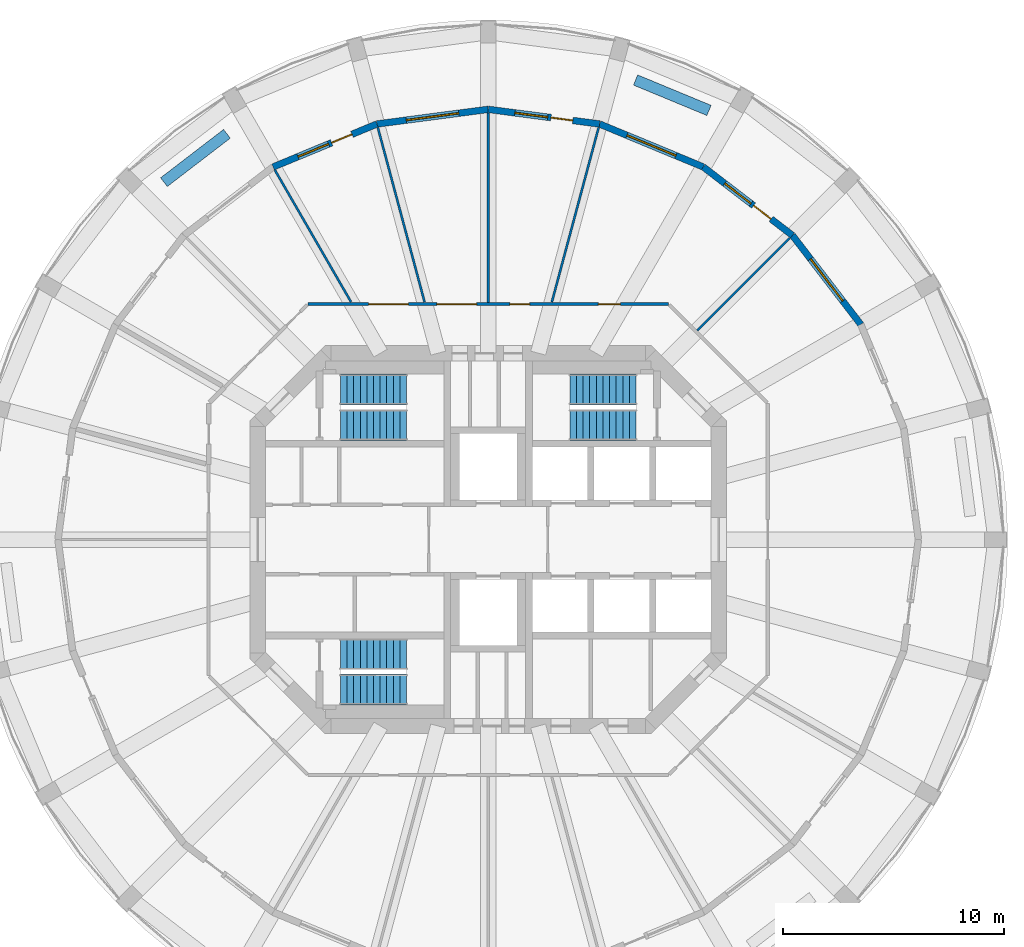
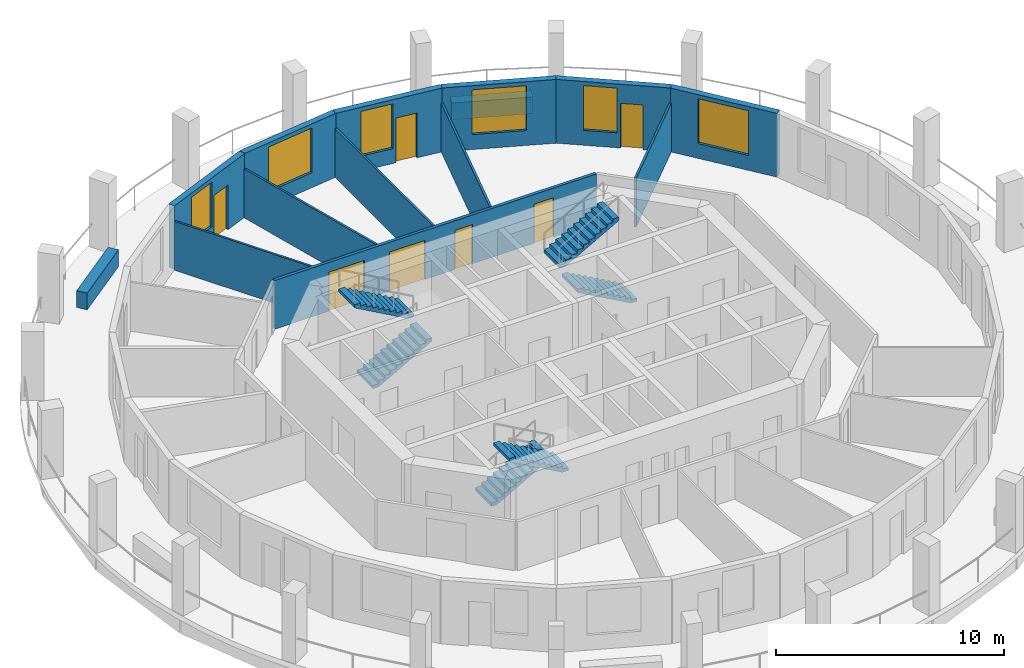
# One storey, part 6 of 8: 14 walls, 7 doors, 6 stair flights, 6 windows, 13 openings, 3 elements without a shape of their own.
"""IFC4 building model written with IfcOpenShell, lengths in metres."""

from ifc_helpers import new_model, si_unit, direction, frame, frame_2d, origin, place, context, subcontext, project, spatial, polyline, rectangle, outline, extrude, material, layer, layer_set, type_object, element, fill, aggregate, save


model = new_model("IFC4")

# Units and contexts
model_context = context("Model", 3, precision=1e-05, world=origin(), true_north=direction((0.0, 1.0)))
body_context = subcontext(model_context, "Body", "Model", "MODEL_VIEW")
ifc_project = project(units=[si_unit("LENGTHUNIT", "METRE"), si_unit("AREAUNIT", "SQUARE_METRE"), si_unit("VOLUMEUNIT", "CUBIC_METRE"), si_unit("PLANEANGLEUNIT", "RADIAN"), si_unit("MASSUNIT", "GRAM", prefix="KILO")], contexts=[model_context])

# Site, building, storey
site_placement = place(None, origin())
site = spatial("IfcSite", under=ifc_project, at=site_placement, CompositionType="ELEMENT")
building_placement = place(site_placement, origin())
building = spatial("IfcBuilding", under=site, at=building_placement, Name="Torre Triforio", CompositionType="ELEMENT")
storey_placement = place(building_placement, frame((0.0, 0.0, 207.60009765625)))
storey = spatial("IfcBuildingStorey", under=building, at=storey_placement, Name="L47", CompositionType="ELEMENT", Elevation=207.60009765625)

# Wall, openings, doors
ifc_material_1 = material(Name="Plasterboard on metal studs")
ifc_layer_1 = layer(ifc_material_1, 0.14990234375)
ifc_layer_set_1 = layer_set([ifc_layer_1], Name="Plasterboard on metal studs")
wall_type_1 = type_object("IfcWallType", Name="Corridor and tenancy wall 150 mm EI 60", PredefinedType="PARTITIONING", material=ifc_layer_set_1)
wall_1_placement = place(storey_placement, frame((-8.16650390625, 10.675048828125, 0.0), z_axis=(0.0, 0.0, 1.0), x_axis=(1.0, 0.0, 0.0)))
wall_1 = element("IfcWall", 1, at=wall_1_placement, inside=storey, type_object=wall_type_1, Name="Partition 8", PredefinedType="PARTITIONING", context=body_context, shape_type="SweptSolid", body=[
    extrude(rectangle(XDim=16.3330078125, YDim=0.14990234375, at=frame_2d((8.16650390625, 0.0))), origin(), (0.0, 0.0, 1.0), 2.619873046875),
])
opening_1_placement = place(wall_1_placement, frame((13.155029296875, 0.0, 0.0)))
opening_1 = element("IfcOpeningElement", 2, at=opening_1_placement, cuts=wall_1, Name="Opening O5-09", PredefinedType="OPENING", context=body_context, shape_type="SweptSolid", body=[
    extrude(rectangle(XDim=1.0, YDim=2.10009765625, at=frame_2d((0.5, 1.050048828125))), frame((0.0, 0.0849609375, 0.0), z_axis=(0.0, -1.0, 0.0), x_axis=(1.0, 0.0, 0.0)), (0.0, 0.0, 1.0), 0.169921875),
])
opening_2_placement = place(wall_1_placement, frame((9.147705078125, 0.0, 0.0)))
opening_2 = element("IfcOpeningElement", 3, at=opening_2_placement, cuts=wall_1, Name="Opening O5-10", PredefinedType="OPENING", context=body_context, shape_type="SweptSolid", body=[
    extrude(rectangle(XDim=0.89990234375, YDim=2.10009765625, at=frame_2d((0.449951171875, 1.050048828125))), frame((0.0, 0.0849609375, 0.0), z_axis=(0.0, -1.0, 0.0), x_axis=(1.0, 0.0, 0.0)), (0.0, 0.0, 1.0), 0.169921875),
])
opening_3_placement = place(wall_1_placement, frame((5.83544921875, 0.0, 0.0)))
opening_3 = element("IfcOpeningElement", 4, at=opening_3_placement, cuts=wall_1, Name="Opening O5-11", PredefinedType="OPENING", context=body_context, shape_type="SweptSolid", body=[
    extrude(rectangle(XDim=1.800048828125, YDim=2.10009765625, at=frame_2d((0.89990234375, 1.050048828125))), frame((0.0, 0.0849609375, 0.0), z_axis=(0.0, -1.0, 0.0), x_axis=(1.0, 0.0, 0.0)), (0.0, 0.0, 1.0), 0.169921875),
])
opening_4_placement = place(wall_1_placement, frame((2.7509765625, 0.0, 0.0)))
opening_4 = element("IfcOpeningElement", 5, at=opening_4_placement, cuts=wall_1, Name="Opening O5-12", PredefinedType="OPENING", context=body_context, shape_type="SweptSolid", body=[
    extrude(rectangle(XDim=1.800048828125, YDim=2.10009765625, at=frame_2d((0.89990234375, 1.050048828125))), frame((0.0, 0.0849609375, 0.0), z_axis=(0.0, -1.0, 0.0), x_axis=(1.0, 0.0, 0.0)), (0.0, 0.0, 1.0), 0.169921875),
])
ifc_material_2 = material(Name="Timber", Category="wood")
door_type_1 = type_object("IfcDoorType", Name="Door 1000 x 2100 single leaf EI 30", OperationType="NOTDEFINED", PredefinedType="DOOR", material=ifc_material_2)
door_1_placement = place(opening_1_placement, origin())
door_1 = element("IfcDoor", 6, at=door_1_placement, inside=storey, type_object=door_type_1, Name="Door O5-09", OperationType="SINGLE_SWING_RIGHT", OverallHeight=2.10009765625, OverallWidth=1.0, PredefinedType="DOOR", context=body_context, shape_type="SweptSolid", body=[
    extrude(rectangle(XDim=1.0, YDim=2.10009765625, at=frame_2d((0.5, 1.050048828125))), frame((0.0, 0.02490234375, 0.0), z_axis=(0.0, -1.0, 0.0), x_axis=(1.0, 0.0, 0.0)), (0.0, 0.0, 1.0), 0.050048828125),
])
fill(opening_1, door_1)
door_type_2 = type_object("IfcDoorType", Name="Door 1800 x 2100 double leaf EI 30", OperationType="DOUBLE_DOOR_SINGLE_SWING", PredefinedType="DOOR", material=ifc_material_2)
door_2_placement = place(opening_3_placement, origin())
door_2 = element("IfcDoor", 7, at=door_2_placement, inside=storey, type_object=door_type_2, Name="Door O5-11", OperationType="DOUBLE_DOOR_SINGLE_SWING", OverallHeight=2.10009765625, OverallWidth=1.800048828125, PredefinedType="DOOR", context=body_context, shape_type="SweptSolid", body=[
    extrude(rectangle(XDim=1.800048828125, YDim=2.10009765625, at=frame_2d((0.89990234375, 1.050048828125))), frame((0.0, 0.02490234375, 0.0), z_axis=(0.0, -1.0, 0.0), x_axis=(1.0, 0.0, 0.0)), (0.0, 0.0, 1.0), 0.050048828125),
])
fill(opening_3, door_2)
door_3_placement = place(opening_4_placement, origin())
door_3 = element("IfcDoor", 8, at=door_3_placement, inside=storey, type_object=door_type_2, Name="Door O5-12", OperationType="DOUBLE_DOOR_SINGLE_SWING", OverallHeight=2.10009765625, OverallWidth=1.800048828125, PredefinedType="DOOR", context=body_context, shape_type="SweptSolid", body=[
    extrude(rectangle(XDim=1.800048828125, YDim=2.10009765625, at=frame_2d((0.89990234375, 1.050048828125))), frame((0.0, 0.02490234375, 0.0), z_axis=(0.0, -1.0, 0.0), x_axis=(1.0, 0.0, 0.0)), (0.0, 0.0, 1.0), 0.050048828125),
])
fill(opening_4, door_3)
door_type_3 = type_object("IfcDoorType", Name="Door 900 x 2100 single leaf EI 30", OperationType="NOTDEFINED", PredefinedType="DOOR", material=ifc_material_2)
door_4_placement = place(opening_2_placement, origin())
door_4 = element("IfcDoor", 9, at=door_4_placement, inside=storey, type_object=door_type_3, Name="Door O5-10", OperationType="SINGLE_SWING_LEFT", OverallHeight=2.10009765625, OverallWidth=0.89990234375, PredefinedType="DOOR", context=body_context, shape_type="SweptSolid", body=[
    extrude(rectangle(XDim=0.89990234375, YDim=2.10009765625, at=frame_2d((0.449951171875, 1.050048828125))), frame((0.0, 0.02490234375, 0.0), z_axis=(0.0, -1.0, 0.0), x_axis=(1.0, 0.0, 0.0)), (0.0, 0.0, 1.0), 0.050048828125),
])
fill(opening_2, door_4)

# Walls
ifc_layer_2 = layer(ifc_material_1, 0.10009765625)
ifc_layer_set_2 = layer_set([ifc_layer_2], Name="Plasterboard on metal studs")
wall_type_2 = type_object("IfcWallType", Name="Partition 100 mm board on metal studs", PredefinedType="PARTITIONING", material=ifc_layer_set_2)
wall_2_placement = place(storey_placement, frame((9.473876953125, 9.473876953125, 0.0), z_axis=(0.0, 0.0, 1.0), x_axis=(0.707106781187, 0.707106781187, 0.0)))
element("IfcWall", 10, at=wall_2_placement, inside=storey, type_object=wall_type_2, Name="Partition 11", PredefinedType="PARTITIONING", context=body_context, shape_type="SweptSolid", body=[
    extrude(rectangle(XDim=5.9384765625, YDim=0.10009765625, at=frame_2d((2.96923828125, 0.0))), origin(), (0.0, 0.0, 1.0), 2.619873046875),
])
wall_3_placement = place(storey_placement, frame((2.88427734375, 10.764404296875, 0.0), z_axis=(0.0, 0.0, 1.0), x_axis=(0.258818011497, 0.965926103242, 0.0)))
element("IfcWall", 11, at=wall_3_placement, inside=storey, type_object=wall_type_2, Name="Partition 12", PredefinedType="PARTITIONING", context=body_context, shape_type="SweptSolid", body=[
    extrude(rectangle(XDim=8.1923828125, YDim=0.10009765625, at=frame_2d((4.09619140625, 0.0))), origin(), (0.0, 0.0, 1.0), 2.619873046875),
])
wall_4_placement = place(storey_placement, frame((0.0, 10.75, 0.0), z_axis=(0.0, 0.0, 1.0), x_axis=(0.0, 1.0, 0.0)))
element("IfcWall", 12, at=wall_4_placement, inside=storey, type_object=wall_type_2, Name="Partition 13", PredefinedType="PARTITIONING", context=body_context, shape_type="SweptSolid", body=[
    extrude(rectangle(XDim=8.586669921875, YDim=0.10009765625, at=frame_2d((4.29345703125, 0.0))), origin(), (0.0, 0.0, 1.0), 2.619873046875),
])
wall_5_placement = place(storey_placement, frame((-2.88427734375, 10.764404296875, 0.0), z_axis=(0.0, 0.0, 1.0), x_axis=(-0.258818011497, 0.965926103242, 0.0)))
element("IfcWall", 13, at=wall_5_placement, inside=storey, type_object=wall_type_2, Name="Partition 14", PredefinedType="PARTITIONING", context=body_context, shape_type="SweptSolid", body=[
    extrude(rectangle(XDim=8.1923828125, YDim=0.10009765625, at=frame_2d((4.09619140625, 0.0))), origin(), (0.0, 0.0, 1.0), 2.619873046875),
])
wall_6_placement = place(storey_placement, frame((-6.220703125, 10.774658203125, 0.0), z_axis=(0.0, 0.0, 1.0), x_axis=(-0.500015661236, 0.866016361577, 0.0)))
element("IfcWall", 14, at=wall_6_placement, inside=storey, type_object=wall_type_2, Name="Partition 15", PredefinedType="PARTITIONING", context=body_context, shape_type="SweptSolid", body=[
    extrude(rectangle(XDim=6.895263671875, YDim=0.10009765625, at=frame_2d((3.44775390625, 0.0))), origin(), (0.0, 0.0, 1.0), 2.619873046875),
])
ifc_material_3 = material(Name="Limestone cladding", Category="masonry")
ifc_layer_3 = layer(ifc_material_3, 0.10009765625)
ifc_material_4 = material(Name="Concrete C40", Category="concrete")
ifc_layer_4 = layer(ifc_material_4, 0.39990234375)
ifc_layer_set_3 = layer_set([ifc_layer_3, ifc_layer_4], Name="Limestone cladding / Concrete C40")
wall_type_3 = type_object("IfcWallType", Name="Planter wall 500", PredefinedType="PARAPET", material=ifc_layer_set_3)
wall_7_placement = place(storey_placement, frame((10.005615234375, 19.45166015625, 0.0), z_axis=(0.0, 0.0, 1.0), x_axis=(-0.923885420167, 0.382669217998, 0.0)))
element("IfcWall", 15, at=wall_7_placement, inside=storey, type_object=wall_type_3, Name="Planter L47 bay 05", PredefinedType="PARAPET", context=body_context, shape_type="SweptSolid", body=[
    extrude(rectangle(XDim=3.60009765625, YDim=0.5, at=frame_2d((1.800048828125, 0.0))), origin(), (0.0, 0.0, 1.0), 0.89990234375),
])
wall_8_placement = place(storey_placement, frame((-11.843017578125, 18.390869140625, 0.0), z_axis=(0.0, 0.0, 1.0), x_axis=(-0.793326845617, -0.608795955984, 0.0)))
element("IfcWall", 16, at=wall_8_placement, inside=storey, type_object=wall_type_3, Name="Planter L47 bay 09", PredefinedType="PARAPET", context=body_context, shape_type="SweptSolid", body=[
    extrude(rectangle(XDim=3.599853515625, YDim=0.5, at=frame_2d((1.7998046875, 0.0))), origin(), (0.0, 0.0, 1.0), 0.89990234375),
])

# Wall, opening, window
ifc_layer_5 = layer(ifc_material_3, 0.10009765625)
ifc_layer_6 = layer(ifc_material_4, 0.199951171875)
ifc_layer_set_4 = layer_set([ifc_layer_5, ifc_layer_6], Name="Limestone cladding / Concrete C40")
wall_type_4 = type_object("IfcWallType", Name="Stone-faced composite wall 300", PredefinedType="STANDARD", material=ifc_layer_set_4)
wall_9_placement = place(storey_placement, frame((16.887451171875, 9.75, 0.0), z_axis=(0.0, 0.0, 1.0), x_axis=(-0.608757714995, 0.79335619014, 0.0)))
wall_9 = element("IfcWall", 17, at=wall_9_placement, inside=storey, type_object=wall_type_4, Name="External wall L47 bay 03", PredefinedType="STANDARD", context=body_context, shape_type="SweptSolid", body=[
    extrude(rectangle(XDim=5.090576171875, YDim=0.300048828125, at=frame_2d((2.54541015625, 0.0))), origin(), (0.0, 0.0, 1.0), 3.419921875),
])
opening_5_placement = place(wall_9_placement, frame((1.34521484375, 0.0, 0.800048828125)))
opening_5 = element("IfcOpeningElement", 18, at=opening_5_placement, cuts=wall_9, Name="Opening O5-W03", PredefinedType="OPENING", context=body_context, shape_type="SweptSolid", body=[
    extrude(rectangle(XDim=2.39990234375, YDim=2.39990234375, at=frame_2d((1.199951171875, 1.199951171875))), frame((0.0, 0.159912109375, 0.0), z_axis=(0.0, -1.0, 0.0), x_axis=(1.0, 0.0, 0.0)), (0.0, 0.0, 1.0), 0.320068359375),
])
ifc_material_5 = material(Name="Aluminium frame with clear double glazing", Category="aluminium")
window_type_1 = type_object("IfcWindowType", Name="Punched window 2400 x 2400", PartitioningType="DOUBLE_PANEL_VERTICAL", PredefinedType="WINDOW", material=ifc_material_5)
window_1_placement = place(opening_5_placement, origin())
window_1 = element("IfcWindow", 19, at=window_1_placement, inside=storey, type_object=window_type_1, Name="Window EWN4 L47 bay 03", OverallHeight=2.39990234375, OverallWidth=2.39990234375, PartitioningType="SINGLE_PANEL", PredefinedType="WINDOW", context=body_context, shape_type="SweptSolid", body=[
    extrude(rectangle(XDim=2.39990234375, YDim=2.39990234375, at=frame_2d((1.199951171875, 1.199951171875))), frame((0.0, 0.030029296875, 0.0), z_axis=(0.0, -1.0, 0.0), x_axis=(1.0, 0.0, 0.0)), (0.0, 0.0, 1.0), 0.06005859375),
])
fill(opening_5, window_1)

# Wall, openings, door, window
wall_10_placement = place(storey_placement, frame((13.78857421875, 13.78857421875, 0.0), z_axis=(0.0, 0.0, 1.0), x_axis=(-0.79335619014, 0.608757714995, 0.0)))
wall_10 = element("IfcWall", 20, at=wall_10_placement, inside=storey, type_object=wall_type_4, Name="External wall L47 bay 04", PredefinedType="STANDARD", context=body_context, shape_type="SweptSolid", body=[
    extrude(rectangle(XDim=5.090576171875, YDim=0.300048828125, at=frame_2d((2.54541015625, 0.0))), origin(), (0.0, 0.0, 1.0), 3.419921875),
])
opening_6_placement = place(wall_10_placement, frame((1.22021484375, 0.0, 0.0)))
opening_6 = element("IfcOpeningElement", 21, at=opening_6_placement, cuts=wall_10, Name="Opening O5-D04", PredefinedType="OPENING", context=body_context, shape_type="SweptSolid", body=[
    extrude(rectangle(XDim=1.0, YDim=2.39990234375, at=frame_2d((0.5, 1.199951171875))), frame((0.0, 0.159912109375, 0.0), z_axis=(0.0, -1.0, 0.0), x_axis=(1.0, 0.0, 0.0)), (0.0, 0.0, 1.0), 0.320068359375),
])
opening_7_placement = place(wall_10_placement, frame((2.370361328125, 0.0, 0.800048828125)))
opening_7 = element("IfcOpeningElement", 22, at=opening_7_placement, cuts=wall_10, Name="Opening O5-W04A", PredefinedType="OPENING", context=body_context, shape_type="SweptSolid", body=[
    extrude(rectangle(XDim=1.5, YDim=2.39990234375, at=frame_2d((0.75, 1.199951171875))), frame((0.0, 0.159912109375, 0.0), z_axis=(0.0, -1.0, 0.0), x_axis=(1.0, 0.0, 0.0)), (0.0, 0.0, 1.0), 0.320068359375),
])
door_type_4 = type_object("IfcDoorType", Name="Loggia door 1000 x 2400", OperationType="NOTDEFINED", PredefinedType="DOOR", material=ifc_material_5)
door_5_placement = place(opening_6_placement, origin())
door_5 = element("IfcDoor", 23, at=door_5_placement, inside=storey, type_object=door_type_4, Name="Loggia door L47 bay 04", OperationType="SINGLE_SWING_LEFT", OverallHeight=2.39990234375, OverallWidth=1.0, PredefinedType="DOOR", context=body_context, shape_type="SweptSolid", body=[
    extrude(rectangle(XDim=1.0, YDim=2.39990234375, at=frame_2d((0.5, 1.199951171875))), frame((0.0, 0.02490234375, 0.0), z_axis=(0.0, -1.0, 0.0), x_axis=(1.0, 0.0, 0.0)), (0.0, 0.0, 1.0), 0.050048828125),
])
fill(opening_6, door_5)
window_type_2 = type_object("IfcWindowType", Name="Side window 1500 x 2400", PartitioningType="SINGLE_PANEL", PredefinedType="WINDOW", material=ifc_material_5)
window_2_placement = place(opening_7_placement, origin())
window_2 = element("IfcWindow", 24, at=window_2_placement, inside=storey, type_object=window_type_2, Name="Side window EWN14 L47 bay 04", OverallHeight=2.39990234375, OverallWidth=1.5, PartitioningType="SINGLE_PANEL", PredefinedType="WINDOW", context=body_context, shape_type="SweptSolid", body=[
    extrude(rectangle(XDim=1.5, YDim=2.39990234375, at=frame_2d((0.75, 1.199951171875))), frame((0.0, 0.030029296875, 0.0), z_axis=(0.0, -1.0, 0.0), x_axis=(1.0, 0.0, 0.0)), (0.0, 0.0, 1.0), 0.06005859375),
])
fill(opening_7, window_2)

# Wall, opening, window
wall_11_placement = place(storey_placement, frame((9.75, 16.887451171875, 0.0), z_axis=(0.0, 0.0, 1.0), x_axis=(-0.923862504675, 0.382724538613, 0.0)))
wall_11 = element("IfcWall", 25, at=wall_11_placement, inside=storey, type_object=wall_type_4, Name="External wall L47 bay 05", PredefinedType="STANDARD", context=body_context, shape_type="SweptSolid", body=[
    extrude(rectangle(XDim=5.090576171875, YDim=0.300048828125, at=frame_2d((2.54541015625, 0.0))), origin(), (0.0, 0.0, 1.0), 3.419921875),
])
opening_8_placement = place(wall_11_placement, frame((1.34521484375, 0.0, 0.800048828125)))
opening_8 = element("IfcOpeningElement", 26, at=opening_8_placement, cuts=wall_11, Name="Opening O5-W05", PredefinedType="OPENING", context=body_context, shape_type="SweptSolid", body=[
    extrude(rectangle(XDim=2.39990234375, YDim=2.39990234375, at=frame_2d((1.199951171875, 1.199951171875))), frame((0.0, 0.159912109375, 0.0), z_axis=(0.0, -1.0, 0.0), x_axis=(1.0, 0.0, 0.0)), (0.0, 0.0, 1.0), 0.320068359375),
])
window_3_placement = place(opening_8_placement, origin())
window_3 = element("IfcWindow", 27, at=window_3_placement, inside=storey, type_object=window_type_1, Name="Window EWN4 L47 bay 05", OverallHeight=2.39990234375, OverallWidth=2.39990234375, PartitioningType="SINGLE_PANEL", PredefinedType="WINDOW", context=body_context, shape_type="SweptSolid", body=[
    extrude(rectangle(XDim=2.39990234375, YDim=2.39990234375, at=frame_2d((1.199951171875, 1.199951171875))), frame((0.0, 0.030029296875, 0.0), z_axis=(0.0, -1.0, 0.0), x_axis=(1.0, 0.0, 0.0)), (0.0, 0.0, 1.0), 0.06005859375),
])
fill(opening_8, window_3)

# Wall, openings, door, window
wall_12_placement = place(storey_placement, frame((5.047119140625, 18.835693359375, 0.0), z_axis=(0.0, 0.0, 1.0), x_axis=(-0.99144890792, 0.130495451964, 0.0)))
wall_12 = element("IfcWall", 28, at=wall_12_placement, inside=storey, type_object=wall_type_4, Name="External wall L47 bay 06", PredefinedType="STANDARD", context=body_context, shape_type="SweptSolid", body=[
    extrude(rectangle(XDim=5.090576171875, YDim=0.300048828125, at=frame_2d((2.54541015625, 0.0))), origin(), (0.0, 0.0, 1.0), 3.419921875),
])
opening_9_placement = place(wall_12_placement, frame((1.22021484375, 0.0, 0.0)))
opening_9 = element("IfcOpeningElement", 29, at=opening_9_placement, cuts=wall_12, Name="Opening O5-D06", PredefinedType="OPENING", context=body_context, shape_type="SweptSolid", body=[
    extrude(rectangle(XDim=1.0, YDim=2.39990234375, at=frame_2d((0.5, 1.199951171875))), frame((0.0, 0.159912109375, 0.0), z_axis=(0.0, -1.0, 0.0), x_axis=(1.0, 0.0, 0.0)), (0.0, 0.0, 1.0), 0.320068359375),
])
opening_10_placement = place(wall_12_placement, frame((2.370361328125, 0.0, 0.800048828125)))
opening_10 = element("IfcOpeningElement", 30, at=opening_10_placement, cuts=wall_12, Name="Opening O5-W06A", PredefinedType="OPENING", context=body_context, shape_type="SweptSolid", body=[
    extrude(rectangle(XDim=1.5, YDim=2.39990234375, at=frame_2d((0.75, 1.199951171875))), frame((0.0, 0.159912109375, 0.0), z_axis=(0.0, -1.0, 0.0), x_axis=(1.0, 0.0, 0.0)), (0.0, 0.0, 1.0), 0.320068359375),
])
door_6_placement = place(opening_9_placement, origin())
door_6 = element("IfcDoor", 31, at=door_6_placement, inside=storey, type_object=door_type_4, Name="Loggia door L47 bay 06", OperationType="SINGLE_SWING_LEFT", OverallHeight=2.39990234375, OverallWidth=1.0, PredefinedType="DOOR", context=body_context, shape_type="SweptSolid", body=[
    extrude(rectangle(XDim=1.0, YDim=2.39990234375, at=frame_2d((0.5, 1.199951171875))), frame((0.0, 0.02490234375, 0.0), z_axis=(0.0, -1.0, 0.0), x_axis=(1.0, 0.0, 0.0)), (0.0, 0.0, 1.0), 0.050048828125),
])
fill(opening_9, door_6)
window_4_placement = place(opening_10_placement, origin())
window_4 = element("IfcWindow", 32, at=window_4_placement, inside=storey, type_object=window_type_2, Name="Side window EWN14 L47 bay 06", OverallHeight=2.39990234375, OverallWidth=1.5, PartitioningType="SINGLE_PANEL", PredefinedType="WINDOW", context=body_context, shape_type="SweptSolid", body=[
    extrude(rectangle(XDim=1.5, YDim=2.39990234375, at=frame_2d((0.75, 1.199951171875))), frame((0.0, 0.030029296875, 0.0), z_axis=(0.0, -1.0, 0.0), x_axis=(1.0, 0.0, 0.0)), (0.0, 0.0, 1.0), 0.06005859375),
])
fill(opening_10, window_4)

# Wall, opening, window
wall_13_placement = place(storey_placement, frame((0.0, 19.5, 0.0), z_axis=(0.0, 0.0, 1.0), x_axis=(-0.99144890792, -0.130495451964, 0.0)))
wall_13 = element("IfcWall", 33, at=wall_13_placement, inside=storey, type_object=wall_type_4, Name="External wall L47 bay 07", PredefinedType="STANDARD", context=body_context, shape_type="SweptSolid", body=[
    extrude(rectangle(XDim=5.090576171875, YDim=0.300048828125, at=frame_2d((2.54541015625, 0.0))), origin(), (0.0, 0.0, 1.0), 3.419921875),
])
opening_11_placement = place(wall_13_placement, frame((1.34521484375, 0.0, 0.800048828125)))
opening_11 = element("IfcOpeningElement", 34, at=opening_11_placement, cuts=wall_13, Name="Opening O5-W07", PredefinedType="OPENING", context=body_context, shape_type="SweptSolid", body=[
    extrude(rectangle(XDim=2.39990234375, YDim=2.39990234375, at=frame_2d((1.199951171875, 1.199951171875))), frame((0.0, 0.159912109375, 0.0), z_axis=(0.0, -1.0, 0.0), x_axis=(1.0, 0.0, 0.0)), (0.0, 0.0, 1.0), 0.320068359375),
])
window_5_placement = place(opening_11_placement, origin())
window_5 = element("IfcWindow", 35, at=window_5_placement, inside=storey, type_object=window_type_1, Name="Window EWN4 L47 bay 07", OverallHeight=2.39990234375, OverallWidth=2.39990234375, PartitioningType="SINGLE_PANEL", PredefinedType="WINDOW", context=body_context, shape_type="SweptSolid", body=[
    extrude(rectangle(XDim=2.39990234375, YDim=2.39990234375, at=frame_2d((1.199951171875, 1.199951171875))), frame((0.0, 0.030029296875, 0.0), z_axis=(0.0, -1.0, 0.0), x_axis=(1.0, 0.0, 0.0)), (0.0, 0.0, 1.0), 0.06005859375),
])
fill(opening_11, window_5)

# Wall, openings, door, window
wall_14_placement = place(storey_placement, frame((-5.047119140625, 18.835693359375, 0.0), z_axis=(0.0, 0.0, 1.0), x_axis=(-0.923862504675, -0.382724538613, 0.0)))
wall_14 = element("IfcWall", 36, at=wall_14_placement, inside=storey, type_object=wall_type_4, Name="External wall L47 bay 08", PredefinedType="STANDARD", context=body_context, shape_type="SweptSolid", body=[
    extrude(rectangle(XDim=5.090576171875, YDim=0.300048828125, at=frame_2d((2.54541015625, 0.0))), origin(), (0.0, 0.0, 1.0), 3.419921875),
])
opening_12_placement = place(wall_14_placement, frame((1.22021484375, 0.0, 0.0)))
opening_12 = element("IfcOpeningElement", 37, at=opening_12_placement, cuts=wall_14, Name="Opening O5-D08", PredefinedType="OPENING", context=body_context, shape_type="SweptSolid", body=[
    extrude(rectangle(XDim=1.0, YDim=2.39990234375, at=frame_2d((0.5, 1.199951171875))), frame((0.0, 0.159912109375, 0.0), z_axis=(0.0, -1.0, 0.0), x_axis=(1.0, 0.0, 0.0)), (0.0, 0.0, 1.0), 0.320068359375),
])
opening_13_placement = place(wall_14_placement, frame((2.370361328125, 0.0, 0.800048828125)))
opening_13 = element("IfcOpeningElement", 38, at=opening_13_placement, cuts=wall_14, Name="Opening O5-W08A", PredefinedType="OPENING", context=body_context, shape_type="SweptSolid", body=[
    extrude(rectangle(XDim=1.5, YDim=2.39990234375, at=frame_2d((0.75, 1.199951171875))), frame((0.0, 0.159912109375, 0.0), z_axis=(0.0, -1.0, 0.0), x_axis=(1.0, 0.0, 0.0)), (0.0, 0.0, 1.0), 0.320068359375),
])
door_7_placement = place(opening_12_placement, origin())
door_7 = element("IfcDoor", 39, at=door_7_placement, inside=storey, type_object=door_type_4, Name="Loggia door L47 bay 08", OperationType="SINGLE_SWING_LEFT", OverallHeight=2.39990234375, OverallWidth=1.0, PredefinedType="DOOR", context=body_context, shape_type="SweptSolid", body=[
    extrude(rectangle(XDim=1.0, YDim=2.39990234375, at=frame_2d((0.5, 1.199951171875))), frame((0.0, 0.02490234375, 0.0), z_axis=(0.0, -1.0, 0.0), x_axis=(1.0, 0.0, 0.0)), (0.0, 0.0, 1.0), 0.050048828125),
])
fill(opening_12, door_7)
window_6_placement = place(opening_13_placement, origin())
window_6 = element("IfcWindow", 40, at=window_6_placement, inside=storey, type_object=window_type_2, Name="Side window EWN14 L47 bay 08", OverallHeight=2.39990234375, OverallWidth=1.5, PartitioningType="SINGLE_PANEL", PredefinedType="WINDOW", context=body_context, shape_type="SweptSolid", body=[
    extrude(rectangle(XDim=1.5, YDim=2.39990234375, at=frame_2d((0.75, 1.199951171875))), frame((0.0, 0.030029296875, 0.0), z_axis=(0.0, -1.0, 0.0), x_axis=(1.0, 0.0, 0.0)), (0.0, 0.0, 1.0), 0.06005859375),
])
fill(opening_13, window_6)

# Stair, stair flights
stair_type = type_object("IfcStairType", Name="STAIR HALF-TURN", PredefinedType="HALF_TURN_STAIR", material=ifc_material_4)
stair_1_placement = place(storey_placement, origin())
stair_1 = element("IfcStair", 41, at=stair_1_placement, inside=storey, type_object=stair_type, Name="Exit stair 1", PredefinedType="HALF_TURN_STAIR")
stair_flight_type = type_object("IfcStairFlightType", Name="STAIR FLIGHT 1400", PredefinedType="STRAIGHT", material=ifc_material_4)
stair_flight_1_placement = place(storey_placement, frame((-6.699951171875, 5.199951171875, 0.0), z_axis=(0.0, 0.0, 1.0), x_axis=(1.0, 0.0, 0.0)))
stair_flight_1 = element("IfcStairFlight", 42, at=stair_flight_1_placement, type_object=stair_flight_type, Name="ST1 flight 1", NumberOfRisers=11, NumberOfTreads=10, PredefinedType="STRAIGHT", RiserHeight=0.168181818, TreadLength=0.3, context=body_context, shape_type="SweptSolid", body=[
    extrude(outline(polyline([(0.0, 0.0), (0.0, 0.168212890625), (0.300048828125, 0.168212890625), (0.300048828125, 0.33642578125), (0.60009765625, 0.33642578125), (0.60009765625, 0.504638671875), (0.89990234375, 0.504638671875), (0.89990234375, 0.672607421875), (1.199951171875, 0.672607421875), (1.199951171875, 0.8408203125), (1.5, 0.8408203125), (1.5, 1.009033203125), (1.800048828125, 1.009033203125), (1.800048828125, 1.17724609375), (2.10009765625, 1.17724609375), (2.10009765625, 1.345458984375), (2.39990234375, 1.345458984375), (2.39990234375, 1.513671875), (2.699951171875, 1.513671875), (2.699951171875, 1.681884765625), (3.0, 1.681884765625), (3.0, 1.85009765625), (3.0, 1.510009765625), (0.306640625, 0.0), (0.0, 0.0)])), frame((0.0, 0.699951171875, 0.0), z_axis=(0.0, -1.0, 0.0), x_axis=(1.0, 0.0, 0.0)), (0.0, 0.0, 1.0), 1.39990234375),
])
stair_flight_2_placement = place(storey_placement, frame((-3.699951171875, 6.800048828125, 1.849853515625), z_axis=(0.0, 0.0, 1.0), x_axis=(-1.0, 0.0, 0.0)))
stair_flight_2 = element("IfcStairFlight", 43, at=stair_flight_2_placement, type_object=stair_flight_type, Name="ST1 flight 2", NumberOfRisers=11, NumberOfTreads=10, PredefinedType="STRAIGHT", RiserHeight=0.168181818, TreadLength=0.3, context=body_context, shape_type="SweptSolid", body=[
    extrude(outline(polyline([(0.0, 0.0), (0.0, 0.168212890625), (0.300048828125, 0.168212890625), (0.300048828125, 0.33642578125), (0.60009765625, 0.33642578125), (0.60009765625, 0.504638671875), (0.89990234375, 0.504638671875), (0.89990234375, 0.672607421875), (1.199951171875, 0.672607421875), (1.199951171875, 0.8408203125), (1.5, 0.8408203125), (1.5, 1.009033203125), (1.800048828125, 1.009033203125), (1.800048828125, 1.17724609375), (2.10009765625, 1.17724609375), (2.10009765625, 1.345458984375), (2.39990234375, 1.345458984375), (2.39990234375, 1.513671875), (2.699951171875, 1.513671875), (2.699951171875, 1.681884765625), (3.0, 1.681884765625), (3.0, 1.85009765625), (3.0, 1.510009765625), (0.306640625, 0.0), (0.0, 0.0)])), frame((0.0, 0.699951171875, 0.0), z_axis=(0.0, -1.0, 0.0), x_axis=(1.0, 0.0, 0.0)), (0.0, 0.0, 1.0), 1.39990234375),
])
aggregate(stair_1, [stair_flight_1, stair_flight_2])

stair_2_placement = place(storey_placement, origin())
stair_2 = element("IfcStair", 44, at=stair_2_placement, inside=storey, type_object=stair_type, Name="Exit stair 2", PredefinedType="HALF_TURN_STAIR")
stair_flight_3_placement = place(storey_placement, frame((6.699951171875, 5.199951171875, 0.0), z_axis=(0.0, 0.0, 1.0), x_axis=(-1.0, 0.0, 0.0)))
stair_flight_3 = element("IfcStairFlight", 45, at=stair_flight_3_placement, type_object=stair_flight_type, Name="ST2 flight 1", NumberOfRisers=11, NumberOfTreads=10, PredefinedType="STRAIGHT", RiserHeight=0.168181818, TreadLength=0.3, context=body_context, shape_type="SweptSolid", body=[
    extrude(outline(polyline([(0.0, 0.0), (0.0, 0.168212890625), (0.300048828125, 0.168212890625), (0.300048828125, 0.33642578125), (0.60009765625, 0.33642578125), (0.60009765625, 0.504638671875), (0.89990234375, 0.504638671875), (0.89990234375, 0.672607421875), (1.199951171875, 0.672607421875), (1.199951171875, 0.8408203125), (1.5, 0.8408203125), (1.5, 1.009033203125), (1.800048828125, 1.009033203125), (1.800048828125, 1.17724609375), (2.10009765625, 1.17724609375), (2.10009765625, 1.345458984375), (2.39990234375, 1.345458984375), (2.39990234375, 1.513671875), (2.699951171875, 1.513671875), (2.699951171875, 1.681884765625), (3.0, 1.681884765625), (3.0, 1.85009765625), (3.0, 1.510009765625), (0.306640625, 0.0), (0.0, 0.0)])), frame((0.0, 0.699951171875, 0.0), z_axis=(0.0, -1.0, 0.0), x_axis=(1.0, 0.0, 0.0)), (0.0, 0.0, 1.0), 1.39990234375),
])
stair_flight_4_placement = place(storey_placement, frame((3.699951171875, 6.800048828125, 1.849853515625), z_axis=(0.0, 0.0, 1.0), x_axis=(1.0, 0.0, 0.0)))
stair_flight_4 = element("IfcStairFlight", 46, at=stair_flight_4_placement, type_object=stair_flight_type, Name="ST2 flight 2", NumberOfRisers=11, NumberOfTreads=10, PredefinedType="STRAIGHT", RiserHeight=0.168181818, TreadLength=0.3, context=body_context, shape_type="SweptSolid", body=[
    extrude(outline(polyline([(0.0, 0.0), (0.0, 0.168212890625), (0.300048828125, 0.168212890625), (0.300048828125, 0.33642578125), (0.60009765625, 0.33642578125), (0.60009765625, 0.504638671875), (0.89990234375, 0.504638671875), (0.89990234375, 0.672607421875), (1.199951171875, 0.672607421875), (1.199951171875, 0.8408203125), (1.5, 0.8408203125), (1.5, 1.009033203125), (1.800048828125, 1.009033203125), (1.800048828125, 1.17724609375), (2.10009765625, 1.17724609375), (2.10009765625, 1.345458984375), (2.39990234375, 1.345458984375), (2.39990234375, 1.513671875), (2.699951171875, 1.513671875), (2.699951171875, 1.681884765625), (3.0, 1.681884765625), (3.0, 1.85009765625), (3.0, 1.510009765625), (0.306640625, 0.0), (0.0, 0.0)])), frame((0.0, 0.699951171875, 0.0), z_axis=(0.0, -1.0, 0.0), x_axis=(1.0, 0.0, 0.0)), (0.0, 0.0, 1.0), 1.39990234375),
])
aggregate(stair_2, [stair_flight_3, stair_flight_4])

stair_3_placement = place(storey_placement, origin())
stair_3 = element("IfcStair", 47, at=stair_3_placement, inside=storey, type_object=stair_type, Name="Exit stair 3", PredefinedType="HALF_TURN_STAIR")
stair_flight_5_placement = place(storey_placement, frame((-6.699951171875, -5.199951171875, 0.0), z_axis=(0.0, 0.0, 1.0), x_axis=(1.0, 0.0, 0.0)))
stair_flight_5 = element("IfcStairFlight", 48, at=stair_flight_5_placement, type_object=stair_flight_type, Name="ST3 flight 1", NumberOfRisers=11, NumberOfTreads=10, PredefinedType="STRAIGHT", RiserHeight=0.168181818, TreadLength=0.3, context=body_context, shape_type="SweptSolid", body=[
    extrude(outline(polyline([(0.0, 0.0), (0.0, 0.168212890625), (0.300048828125, 0.168212890625), (0.300048828125, 0.33642578125), (0.60009765625, 0.33642578125), (0.60009765625, 0.504638671875), (0.89990234375, 0.504638671875), (0.89990234375, 0.672607421875), (1.199951171875, 0.672607421875), (1.199951171875, 0.8408203125), (1.5, 0.8408203125), (1.5, 1.009033203125), (1.800048828125, 1.009033203125), (1.800048828125, 1.17724609375), (2.10009765625, 1.17724609375), (2.10009765625, 1.345458984375), (2.39990234375, 1.345458984375), (2.39990234375, 1.513671875), (2.699951171875, 1.513671875), (2.699951171875, 1.681884765625), (3.0, 1.681884765625), (3.0, 1.85009765625), (3.0, 1.510009765625), (0.306640625, 0.0), (0.0, 0.0)])), frame((0.0, 0.699951171875, 0.0), z_axis=(0.0, -1.0, 0.0), x_axis=(1.0, 0.0, 0.0)), (0.0, 0.0, 1.0), 1.39990234375),
])
stair_flight_6_placement = place(storey_placement, frame((-3.699951171875, -6.800048828125, 1.849853515625), z_axis=(0.0, 0.0, 1.0), x_axis=(-1.0, 0.0, 0.0)))
stair_flight_6 = element("IfcStairFlight", 49, at=stair_flight_6_placement, type_object=stair_flight_type, Name="ST3 flight 2", NumberOfRisers=11, NumberOfTreads=10, PredefinedType="STRAIGHT", RiserHeight=0.168181818, TreadLength=0.3, context=body_context, shape_type="SweptSolid", body=[
    extrude(outline(polyline([(0.0, 0.0), (0.0, 0.168212890625), (0.300048828125, 0.168212890625), (0.300048828125, 0.33642578125), (0.60009765625, 0.33642578125), (0.60009765625, 0.504638671875), (0.89990234375, 0.504638671875), (0.89990234375, 0.672607421875), (1.199951171875, 0.672607421875), (1.199951171875, 0.8408203125), (1.5, 0.8408203125), (1.5, 1.009033203125), (1.800048828125, 1.009033203125), (1.800048828125, 1.17724609375), (2.10009765625, 1.17724609375), (2.10009765625, 1.345458984375), (2.39990234375, 1.345458984375), (2.39990234375, 1.513671875), (2.699951171875, 1.513671875), (2.699951171875, 1.681884765625), (3.0, 1.681884765625), (3.0, 1.85009765625), (3.0, 1.510009765625), (0.306640625, 0.0), (0.0, 0.0)])), frame((0.0, 0.699951171875, 0.0), z_axis=(0.0, -1.0, 0.0), x_axis=(1.0, 0.0, 0.0)), (0.0, 0.0, 1.0), 1.39990234375),
])
aggregate(stair_3, [stair_flight_5, stair_flight_6])

save(model, "model.ifc")
